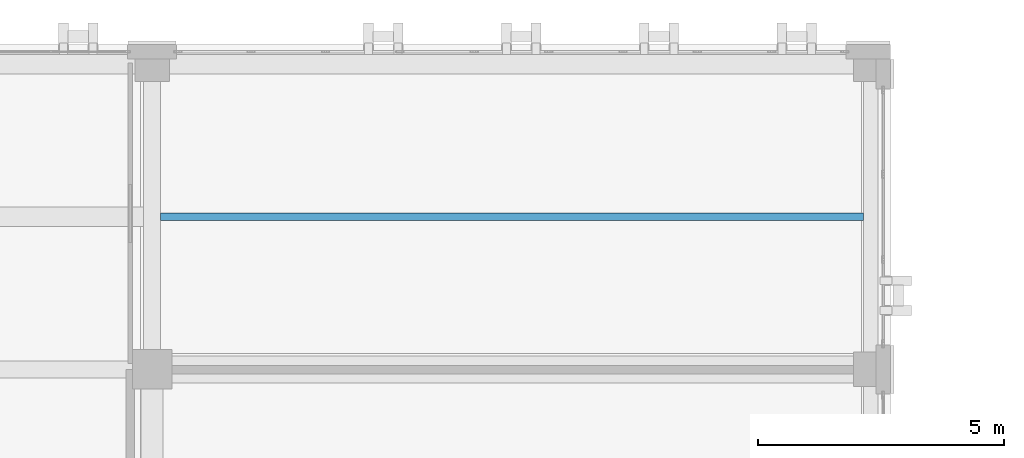
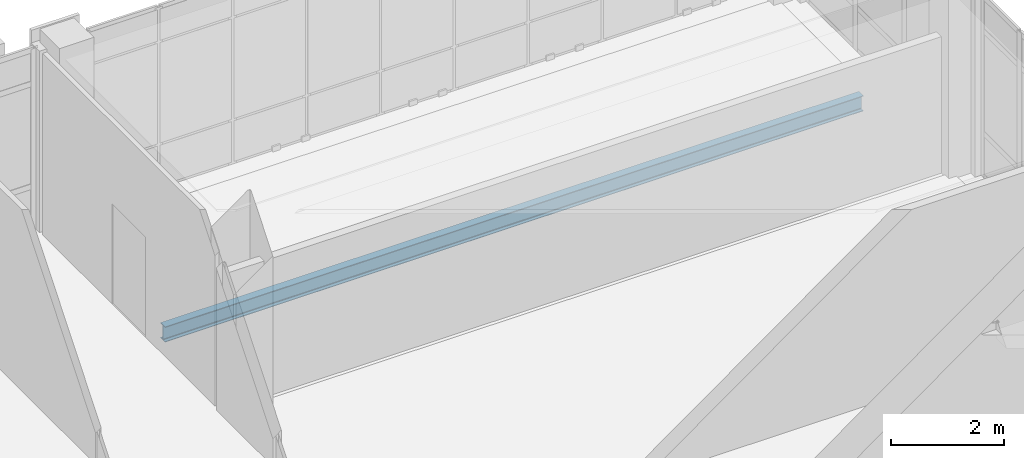
# One storey, part 105 of 165: 1 beam.
"""IFC4 building model written with IfcOpenShell, lengths in metres."""

from ifc_helpers import new_model, si_unit, direction, frame, origin, origin_2d, place, context, subcontext, project, spatial, i_section, extrude, material, material_profile, profile_set, type_object, element, save


model = new_model("IFC4")

# Units and contexts
model_context = context("Model", 3, precision=1e-05, world=origin(), true_north=direction((0.0, 1.0)))
body_context = subcontext(model_context, "Body", "Model", "MODEL_VIEW")
ifc_project = project(units=[si_unit("LENGTHUNIT", "METRE"), si_unit("AREAUNIT", "SQUARE_METRE"), si_unit("VOLUMEUNIT", "CUBIC_METRE"), si_unit("PLANEANGLEUNIT", "RADIAN"), si_unit("MASSUNIT", "GRAM", prefix="KILO")], contexts=[model_context])

# Site, building, storey
site_placement = place(None, origin())
site = spatial("IfcSite", under=ifc_project, at=site_placement, CompositionType="ELEMENT")
building_placement = place(site_placement, origin())
building = spatial("IfcBuilding", under=site, at=building_placement, Name="Qalavern Law Courts", CompositionType="ELEMENT")
storey_placement = place(building_placement, frame((0.0, 0.0, 14.39990234375)))
storey = spatial("IfcBuildingStorey", under=building, at=storey_placement, Name="L03", CompositionType="ELEMENT", Elevation=14.39990234375)

# Beam
ifc_material = material(Name="Steel S355", Category="steel")
ifc_material_profile = material_profile(ifc_material, i_section(OverallWidth=0.159912109375, OverallDepth=0.330078125, WebThickness=0.007568359375, FlangeThickness=0.011474609375, FilletRadius=0.01806640625, at=origin_2d()), Name="IPE 330")
ifc_profile_set = profile_set([ifc_material_profile], Name="Steel S355")
beam_type = type_object("IfcBeamType", Name="STR-JST-IPE330", PredefinedType="JOIST", material=ifc_profile_set)
beam_placement = place(storey_placement, frame((91.972900390625, 82.300048828125, -0.449951171875), z_axis=(1.0, 0.0, 0.0), x_axis=(0.0, 1.0, 0.0)))
element("IfcBeam", 1, at=beam_placement, inside=storey, type_object=beam_type, Name="V4 secondary joist 2.6.1 L03", PredefinedType="JOIST", context=body_context, shape_type="SweptSolid", body=[
    extrude(i_section(OverallWidth=0.159912109375, OverallDepth=0.330078125, WebThickness=0.007568359375, FlangeThickness=0.011474609375, FilletRadius=0.01806640625, at=origin_2d()), origin(), (0.0, 0.0, 1.0), 14.279052734375),
])

save(model, "model.ifc")
